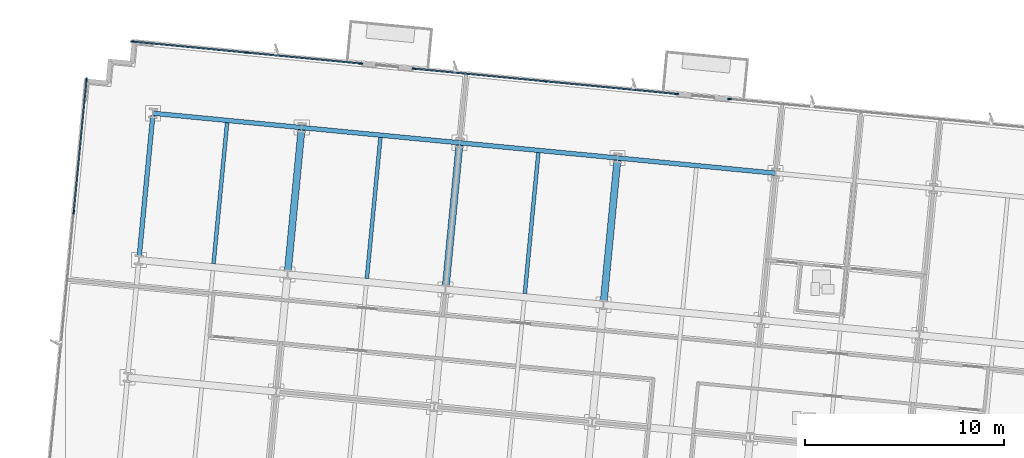
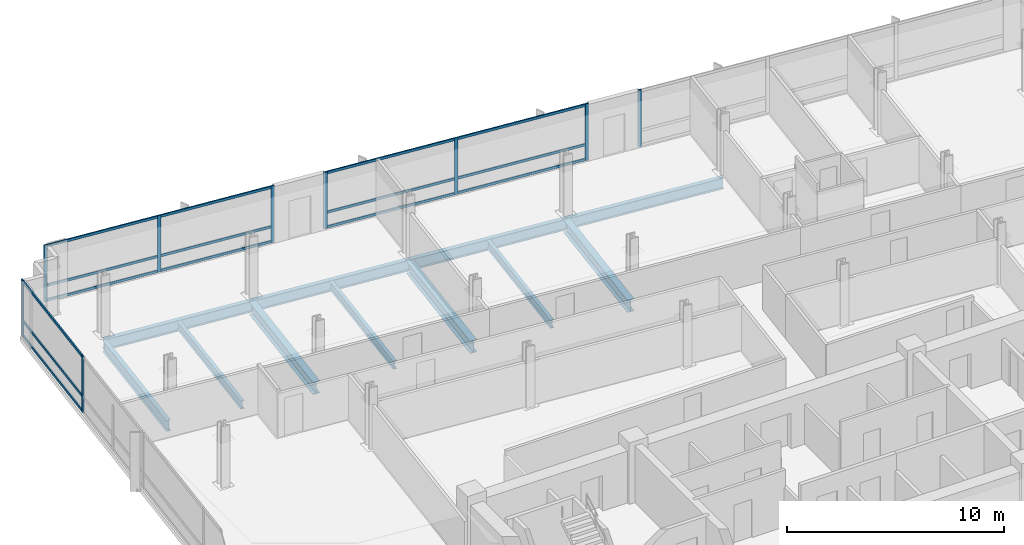
# One storey, part 7 of 16: 24 members, 11 beams, 4 elements without a shape of their own.
"""IFC4 building model written with IfcOpenShell, lengths in metres."""

import ifcopenshell
import ifcopenshell.guid

model = None  # the IFC model being written
_history = None  # IfcOwnerHistory: only IFC2X3 demands one
_inside = {}  # id of a spatial element -> (the spatial element, [elements in it])
_under = {}  # id of a project, library or spatial element -> (it, [spatial elements below it])
_declared = {}  # id of a project -> (the project, [libraries it declares])
_typed = {}  # id of a type object -> (the type object, [elements of that type])
_made_of = {}  # id of a material, layer set ... -> (it, [elements and type objects made of it])


def new_model(schema):
    """Start an empty IFC model of exactly this schema.

    Asked for "IFC4X3", IfcOpenShell would pick the latest addendum, in which some entities
    have other attributes; the version numbers below select the first issue.
    IFC2X3 requires an IfcOwnerHistory on every rooted entity: one is made here for all.
    """
    global model, _history
    if schema == "IFC4X3":
        model = ifcopenshell.file(schema_version=(4, 3, 0, 0))
    else:
        model = ifcopenshell.file(schema=schema)
    _inside.clear()
    _under.clear()
    _declared.clear()
    _typed.clear()
    _made_of.clear()
    _history = None
    if model.schema == "IFC2X3":
        org = make("IfcOrganization", Name="unknown")
        user = make(
            "IfcPersonAndOrganization",
            ThePerson=make("IfcPerson", FamilyName="unknown"),
            TheOrganization=org,
        )
        app = make(
            "IfcApplication",
            ApplicationDeveloper=org,
            Version="unknown",
            ApplicationFullName="unknown",
            ApplicationIdentifier="unknown",
        )
        _history = make(
            "IfcOwnerHistory",
            OwningUser=user,
            OwningApplication=app,
            ChangeAction="ADDED",
            CreationDate=0,
        )
    return model


def make(cls, **values):
    """One entity of the class cls with the attributes given. An attribute that is None is left unset."""
    return model.create_entity(
        cls, **{name: value for name, value in values.items() if value is not None}
    )


def rooted(cls, **values):
    """An entity with a GlobalId (a new one), such as an element, a storey or a relation."""
    return make(cls, GlobalId=ifcopenshell.guid.new(), OwnerHistory=_history, **values)


def si_unit(unit_type, name, prefix=None):
    """IfcSIUnit, for example si_unit("LENGTHUNIT", "METRE", prefix="MILLI")."""
    return make("IfcSIUnit", UnitType=unit_type, Prefix=prefix, Name=name)


def assignment(units):
    """IfcUnitAssignment: the units of a project."""
    return None if units is None else make("IfcUnitAssignment", Units=units)


def point(xyz):
    """IfcCartesianPoint."""
    return None if xyz is None else make("IfcCartesianPoint", Coordinates=xyz)


def direction(xyz):
    """IfcDirection."""
    return None if xyz is None else make("IfcDirection", DirectionRatios=xyz)


def frame(location, z_axis=None, x_axis=None):
    """IfcAxis2Placement3D, a coordinate frame: its origin and axes. An axis left out is left unset."""
    return make(
        "IfcAxis2Placement3D",
        Location=point(location),
        Axis=direction(z_axis),
        RefDirection=direction(x_axis),
    )


def frame_2d(location, x_axis=None):
    """IfcAxis2Placement2D, a coordinate frame in the plane: its origin and x axis."""
    return make(
        "IfcAxis2Placement2D", Location=point(location), RefDirection=direction(x_axis)
    )


def origin():
    """The frame at (0, 0, 0) with its axes left unset."""
    return frame((0.0, 0.0, 0.0))


def origin_2d():
    """The frame at (0, 0) in the plane with its x axis left unset."""
    return frame_2d((0.0, 0.0))


def place(relative_to, where):
    """IfcLocalPlacement: puts the frame where relative to a parent placement (None: the world)."""
    return make(
        "IfcLocalPlacement", PlacementRelTo=relative_to, RelativePlacement=where
    )


def context(
    kind, dimensions, precision=None, world=None, true_north=None, identifier=None
):
    """IfcGeometricRepresentationContext, for example the 3D "Model" context."""
    return make(
        "IfcGeometricRepresentationContext",
        ContextIdentifier=identifier,
        ContextType=kind,
        CoordinateSpaceDimension=dimensions,
        Precision=precision,
        WorldCoordinateSystem=world,
        TrueNorth=true_north,
    )


def subcontext(parent, identifier, kind, view, scale=None):
    """IfcGeometricRepresentationSubContext, for example "Body" below "Model"."""
    return make(
        "IfcGeometricRepresentationSubContext",
        ContextIdentifier=identifier,
        ContextType=kind,
        ParentContext=parent,
        TargetScale=scale,
        TargetView=view,
    )


def project(units=None, contexts=None):
    """IfcProject with its units and contexts."""
    return rooted(
        "IfcProject",
        Name="project",
        RepresentationContexts=contexts,
        UnitsInContext=assignment(units),
    )


def spatial(cls, under=None, at=None, **own):
    """A site, building, storey or space (cls), placed at a placement, below another one or the project."""
    s = rooted(cls, ObjectPlacement=at, **own)
    if under is not None:
        _under.setdefault(under.id(), (under, []))[1].append(s)
    return s


def profile(cls, at=None, kind="AREA", **sizes):
    """A parametric profile (cls). Its sizes go by their IFC names, for example OverallWidth=200.0."""
    return make(cls, ProfileType=kind, Position=at, **sizes)


def rectangle(**sizes):
    """IfcRectangleProfileDef."""
    return profile("IfcRectangleProfileDef", **sizes)


def i_section(**sizes):
    """IfcIShapeProfileDef."""
    return profile("IfcIShapeProfileDef", **sizes)


def extrude(swept, where, along, depth):
    """IfcExtrudedAreaSolid: the profile swept, set in the frame where, extruded along a direction by depth."""
    return make(
        "IfcExtrudedAreaSolid",
        SweptArea=swept,
        Position=where,
        ExtrudedDirection=direction(along),
        Depth=depth,
    )


def shape(context_of_items, identifier, shape_type, items):
    """IfcShapeRepresentation: the items that make up one representation, for example the "Body"."""
    return make(
        "IfcShapeRepresentation",
        ContextOfItems=context_of_items,
        RepresentationIdentifier=identifier,
        RepresentationType=shape_type,
        Items=items,
    )


def material(Name=None, Category=None):
    """IfcMaterial."""
    return make("IfcMaterial", Name=Name, Category=Category)


def material_profile(
    of_material, cross_section, Name=None, Category=None, Priority=None
):
    """IfcMaterialProfile: a cross section and its material."""
    return make(
        "IfcMaterialProfile",
        Name=Name,
        Material=of_material,
        Profile=cross_section,
        Priority=Priority,
        Category=Category,
    )


def profile_set(profiles, Name=None, composite=None):
    """IfcMaterialProfileSet."""
    return make(
        "IfcMaterialProfileSet",
        Name=Name,
        MaterialProfiles=profiles,
        CompositeProfile=composite,
    )


def made_of(thing, what):
    """Note that an element or type object is made of a material, layer set ...; save() writes the relation."""
    if what is not None:
        _made_of.setdefault(what.id(), (what, []))[1].append(thing)
    return thing


def type_object(cls, material=None, **own):
    """A type object (cls), such as IfcWallType, which elements share."""
    return made_of(rooted(cls, **own), material)


def element(
    cls,
    number,
    at=None,
    inside=None,
    cuts=None,
    type_object=None,
    material=None,
    context=None,
    identifier="Body",
    shape_type=None,
    held_by="IfcProductDefinitionShape",
    body=None,
    shapes=None,
    **own,
):
    """One element of the class cls, such as IfcWall. Its Tag is "e" and its number.

    at: its placement. inside: the storey or other place that contains it. cuts: it is an
    opening in that element (IfcRelVoidsElement). A single representation is given by context,
    identifier, shape_type and body (its items); several are given by shapes. held_by: the class
    of the entity that holds the representations. save() writes the other relations.
    """
    e = rooted(cls, Tag="e%d" % number, ObjectPlacement=at, **own)
    if body is not None:
        shapes = [shape(context, identifier, shape_type, body)]
    if shapes is not None:
        e.Representation = make(held_by, Representations=shapes)
    if inside is not None:
        _inside.setdefault(inside.id(), (inside, []))[1].append(e)
    if cuts is not None:
        rooted(
            "IfcRelVoidsElement", RelatingBuildingElement=cuts, RelatedOpeningElement=e
        )
    if type_object is not None:
        _typed.setdefault(type_object.id(), (type_object, []))[1].append(e)
    return made_of(e, material)


def aggregate(whole, parts):
    """IfcRelAggregates: a whole, such as a stair, and the parts it consists of."""
    return rooted("IfcRelAggregates", RelatingObject=whole, RelatedObjects=parts)


def save(model, path):
    """Write the relations noted so far, then the file.

    IfcRelAggregates (storeys below a building ...), IfcRelContainedInSpatialStructure (elements
    in a storey), IfcRelDefinesByType, IfcRelAssociatesMaterial and IfcRelDeclares: one each for
    every whole, place, type object, material and project.
    """
    for whole, parts in _under.values():
        aggregate(whole, parts)
    for where, things in _inside.values():
        rooted(
            "IfcRelContainedInSpatialStructure",
            RelatedElements=things,
            RelatingStructure=where,
        )
    for kind, things in _typed.values():
        rooted("IfcRelDefinesByType", RelatedObjects=things, RelatingType=kind)
    for what, things in _made_of.values():
        rooted("IfcRelAssociatesMaterial", RelatedObjects=things, RelatingMaterial=what)
    for by, libraries in _declared.values():
        rooted("IfcRelDeclares", RelatingContext=by, RelatedDefinitions=libraries)
    model.write(path)


model = new_model("IFC4")

# Units and contexts
model_context = context("Model", 3, precision=1e-05, world=origin(), true_north=direction((0.0, 1.0)))
body_context = subcontext(model_context, "Body", "Model", "MODEL_VIEW")
ifc_project = project(units=[si_unit("LENGTHUNIT", "METRE"), si_unit("AREAUNIT", "SQUARE_METRE"), si_unit("VOLUMEUNIT", "CUBIC_METRE"), si_unit("PLANEANGLEUNIT", "RADIAN"), si_unit("MASSUNIT", "GRAM", prefix="KILO")], contexts=[model_context])

# Site, building, storey
site_placement = place(None, origin())
site = spatial("IfcSite", under=ifc_project, at=site_placement, CompositionType="ELEMENT")
building_placement = place(site_placement, origin())
building = spatial("IfcBuilding", under=site, at=building_placement, Name="Solmavex Isthmus Hotel", CompositionType="ELEMENT")
storey_placement = place(building_placement, frame((0.0, 0.0, 166.949951171875)))
storey = spatial("IfcBuildingStorey", under=building, at=storey_placement, Name="L45", CompositionType="ELEMENT", Elevation=166.949951171875)

# Beams
ifc_material_1 = material(Name="Steel ASTM A992 Grade 50", Category="steel")
ifc_material_profile_1 = material_profile(ifc_material_1, i_section(OverallWidth=0.354736328125, OverallDepth=0.695556640625, WebThickness=0.015380859375, FlangeThickness=0.02490234375, FilletRadius=0.017822265625, at=origin_2d()), Name="W27X146")
ifc_profile_set_1 = profile_set([ifc_material_profile_1], Name="Steel ASTM A992 Grade 50")
beam_type_1 = type_object("IfcBeamType", Name="BM-BG-W27X146", PredefinedType="BEAM", material=ifc_profile_set_1)
beam_1_placement = place(storey_placement, frame((-15.254150390625, 13.07275390625, -0.607666015625), z_axis=(0.095839524498, 0.995396798038, 0.0), x_axis=(-0.995396798038, 0.095839524498, 0.0)))
element("IfcBeam", 1, at=beam_1_placement, inside=storey, type_object=beam_type_1, Name="Floor Beam L45-VG26", PredefinedType="BEAM", context=body_context, shape_type="SweptSolid", body=[
    extrude(i_section(OverallWidth=0.354736328125, OverallDepth=0.695556640625, WebThickness=0.015380859375, FlangeThickness=0.02490234375, FilletRadius=0.017822265625, at=origin_2d()), origin(), (0.0, 0.0, 1.0), 7.099609375),
])
beam_2_placement = place(storey_placement, frame((-7.3349609375, 12.310302734375, -0.607666015625), z_axis=(0.09587687835, 0.9953932008, 0.0), x_axis=(-0.9953932008, 0.09587687835, 0.0)))
element("IfcBeam", 2, at=beam_2_placement, inside=storey, type_object=beam_type_1, Name="Floor Beam L45-VG29", PredefinedType="BEAM", context=body_context, shape_type="SweptSolid", body=[
    extrude(i_section(OverallWidth=0.354736328125, OverallDepth=0.695556640625, WebThickness=0.015380859375, FlangeThickness=0.02490234375, FilletRadius=0.017822265625, at=origin_2d()), origin(), (0.0, 0.0, 1.0), 7.099365234375),
])
beam_3_placement = place(storey_placement, frame((0.58447265625, 11.547607421875, -0.607666015625), z_axis=(0.095839524498, 0.995396798038, 0.0), x_axis=(-0.995396798038, 0.095839524498, 0.0)))
element("IfcBeam", 3, at=beam_3_placement, inside=storey, type_object=beam_type_1, Name="Floor Beam L45-VG32", PredefinedType="BEAM", context=body_context, shape_type="SweptSolid", body=[
    extrude(i_section(OverallWidth=0.354736328125, OverallDepth=0.695556640625, WebThickness=0.015380859375, FlangeThickness=0.02490234375, FilletRadius=0.017822265625, at=origin_2d()), origin(), (0.0, 0.0, 1.0), 7.099609375),
])
ifc_material_profile_2 = material_profile(ifc_material_1, i_section(OverallWidth=0.1904296875, OverallDepth=0.456787109375, WebThickness=0.009033203125, FlangeThickness=0.014404296875, FilletRadius=0.0126953125, at=origin_2d()), Name="W18X50")
ifc_profile_set_2 = profile_set([ifc_material_profile_2], Name="Steel ASTM A992 Grade 50")
beam_type_2 = type_object("IfcBeamType", Name="BM-BJ-W18X50", PredefinedType="JOIST", material=ifc_profile_set_2)
for number, where, z_axis, x_axis, name in (
    (4, (-18.98095703125, 13.431640625, -0.48828125), (0.095842805175, 0.99539648216, 0.0), (-0.99539648216, 0.095842805175, 0.0), "Secondary Floor Joist L45-J03"),
    (5, (-11.29443359375, 12.691650390625, -0.48828125), (0.095842805175, 0.99539648216, 0.0), (-0.99539648216, 0.095842805175, 0.0), "Secondary Floor Joist L45-J06"),
    (6, (-3.375244140625, 11.928955078125, -0.48828125), (0.09587687835, 0.9953932008, 0.0), (-0.9953932008, 0.09587687835, 0.0), "Secondary Floor Joist L45-J09"),
):
    element("IfcBeam", number, at=place(storey_placement, frame(where, z_axis=z_axis, x_axis=x_axis)), inside=storey, type_object=beam_type_2, Name=name, PredefinedType="JOIST", context=body_context, shape_type="SweptSolid", body=[
        extrude(i_section(OverallWidth=0.1904296875, OverallDepth=0.456787109375, WebThickness=0.009033203125, FlangeThickness=0.014404296875, FilletRadius=0.0126953125, at=origin_2d()), origin(), (0.0, 0.0, 1.0), 7.099365234375),
    ])
ifc_material_profile_3 = material_profile(ifc_material_1, i_section(OverallWidth=0.230224609375, OverallDepth=0.617431640625, WebThickness=0.01318359375, FlangeThickness=0.022216796875, FilletRadius=0.01513671875, at=origin_2d()), Name="W24X94")
ifc_profile_set_3 = profile_set([ifc_material_profile_3], Name="Steel ASTM A992 Grade 50")
beam_type_3 = type_object("IfcBeamType", Name="BM-SP-W24X94", PredefinedType="SPANDREL", material=ifc_profile_set_3)
beam_4_placement = place(storey_placement, frame((-22.016357421875, 20.971923828125, -0.568603515625), z_axis=(0.995395279593, -0.095855293875, 0.0), x_axis=(0.095855293875, 0.995395279593, 0.0)))
element("IfcBeam", 7, at=beam_4_placement, inside=storey, type_object=beam_type_3, Name="Floor Girder L45-UG15", PredefinedType="SPANDREL", context=body_context, shape_type="SweptSolid", body=[
    extrude(i_section(OverallWidth=0.230224609375, OverallDepth=0.617431640625, WebThickness=0.01318359375, FlangeThickness=0.022216796875, FilletRadius=0.01513671875, at=origin_2d()), origin(), (0.0, 0.0, 1.0), 7.488037109375),
])
for number, where, z_axis, x_axis, name in (
    (8, (-14.562744140625, 20.254150390625, -0.568603515625), (0.995397440011, -0.095832856685, 0.0), (0.095832856685, 0.995397440011, 0.0), "Floor Girder L45-UG16"),
    (9, (-6.643310546875, 19.49169921875, -0.568603515625), (0.995394512348, -0.095863260885, 0.0), (0.095863260885, 0.995394512348, 0.0), "Floor Girder L45-UG17"),
):
    element("IfcBeam", number, at=place(storey_placement, frame(where, z_axis=z_axis, x_axis=x_axis)), inside=storey, type_object=beam_type_3, Name=name, PredefinedType="SPANDREL", context=body_context, shape_type="SweptSolid", body=[
        extrude(i_section(OverallWidth=0.230224609375, OverallDepth=0.617431640625, WebThickness=0.01318359375, FlangeThickness=0.022216796875, FilletRadius=0.01513671875, at=origin_2d()), origin(), (0.0, 0.0, 1.0), 7.9560546875),
    ])
beam_5_placement = place(storey_placement, frame((1.276123046875, 18.72900390625, -0.568603515625), z_axis=(0.995397158178, -0.095835783981, 0.0), x_axis=(0.095835783981, 0.995397158178, 0.0)))
element("IfcBeam", 10, at=beam_5_placement, inside=storey, type_object=beam_type_3, Name="Floor Girder L45-UG18", PredefinedType="SPANDREL", context=body_context, shape_type="SweptSolid", body=[
    extrude(i_section(OverallWidth=0.230224609375, OverallDepth=0.617431640625, WebThickness=0.01318359375, FlangeThickness=0.022216796875, FilletRadius=0.01513671875, at=origin_2d()), origin(), (0.0, 0.0, 1.0), 7.955810546875),
])
beam_6_placement = place(storey_placement, frame((-22.707763671875, 13.79052734375, -0.568603515625), z_axis=(0.095842805175, 0.99539648216, 0.0), x_axis=(-0.99539648216, 0.095842805175, 0.0)))
element("IfcBeam", 11, at=beam_6_placement, inside=storey, type_object=beam_type_3, Name="Floor Beam L45-VG23", PredefinedType="SPANDREL", context=body_context, shape_type="SweptSolid", body=[
    extrude(i_section(OverallWidth=0.230224609375, OverallDepth=0.617431640625, WebThickness=0.01318359375, FlangeThickness=0.022216796875, FilletRadius=0.01513671875, at=origin_2d()), origin(), (0.0, 0.0, 1.0), 7.099365234375),
])

# Curtain wall, members
ifc_material_2 = material(Name="Aluminium alloy 6063-T6", Category="aluminium")
curtain_wall_type = type_object("IfcCurtainWallType", Name="CW-SYS-03", PredefinedType="NOTDEFINED", material=ifc_material_2)
curtain_wall_1_placement = place(storey_placement, origin())
curtain_wall_1 = element("IfcCurtainWall", 12, at=curtain_wall_1_placement, inside=storey, type_object=curtain_wall_type, Name="Stick Curtain Wall CWL-L45-N1", PredefinedType="NOTDEFINED")
ifc_material_profile_4 = material_profile(ifc_material_2, rectangle(XDim=0.070068359375, YDim=0.179931640625, at=origin_2d()), Name="CWM-70X180")
ifc_profile_set_4 = profile_set([ifc_material_profile_4], Name="Aluminium alloy 6063-T6")
member_type_1 = type_object("IfcMemberType", Name="CW-SYS-03-MUL", PredefinedType="MULLION", material=ifc_profile_set_4)
member_1_placement = place(storey_placement, frame((-23.04150390625, 24.566650390625, 0.0), z_axis=(0.0, 0.0, 1.0), x_axis=(0.095845521008, 0.995396220659, 0.0)))
member_1 = element("IfcMember", 13, at=member_1_placement, type_object=member_type_1, Name="CW-03 mullion 1", PredefinedType="MULLION", context=body_context, shape_type="SweptSolid", body=[
    extrude(rectangle(XDim=0.070068359375, YDim=0.179931640625, at=origin_2d()), origin(), (0.0, 0.0, 1.0), 3.18994140625),
])
member_2_placement = place(storey_placement, frame((-17.31982421875, 24.015869140625, 0.0), z_axis=(0.0, 0.0, 1.0), x_axis=(0.095845521008, 0.995396220659, 0.0)))
member_2 = element("IfcMember", 14, at=member_2_placement, type_object=member_type_1, Name="CW-03 mullion 2", PredefinedType="MULLION", context=body_context, shape_type="SweptSolid", body=[
    extrude(rectangle(XDim=0.070068359375, YDim=0.179931640625, at=origin_2d()), origin(), (0.0, 0.0, 1.0), 3.18994140625),
])
member_3_placement = place(storey_placement, frame((-11.598388671875, 23.46484375, 0.0), z_axis=(0.0, 0.0, 1.0), x_axis=(0.095845521008, 0.995396220659, 0.0)))
member_3 = element("IfcMember", 15, at=member_3_placement, type_object=member_type_1, Name="CW-03 mullion 3", PredefinedType="MULLION", context=body_context, shape_type="SweptSolid", body=[
    extrude(rectangle(XDim=0.070068359375, YDim=0.179931640625, at=origin_2d()), origin(), (0.0, 0.0, 1.0), 3.18994140625),
])

curtain_wall_2_placement = place(storey_placement, origin())
curtain_wall_2 = element("IfcCurtainWall", 16, at=curtain_wall_2_placement, inside=storey, type_object=curtain_wall_type, Name="Stick Curtain Wall CWL-L45-N2", PredefinedType="NOTDEFINED")
member_4_placement = place(storey_placement, frame((-8.940673828125, 23.208984375, 0.0), z_axis=(0.0, 0.0, 1.0), x_axis=(0.095845138178, 0.995396257521, 0.0)))
member_4 = element("IfcMember", 17, at=member_4_placement, type_object=member_type_1, Name="CW-03 mullion 1", PredefinedType="MULLION", context=body_context, shape_type="SweptSolid", body=[
    extrude(rectangle(XDim=0.070068359375, YDim=0.179931640625, at=origin_2d()), origin(), (0.0, 0.0, 1.0), 3.18994140625),
])
member_5_placement = place(storey_placement, frame((-2.35009765625, 22.574462890625, 0.0), z_axis=(0.0, 0.0, 1.0), x_axis=(0.095845138178, 0.995396257521, 0.0)))
member_5 = element("IfcMember", 18, at=member_5_placement, type_object=member_type_1, Name="CW-03 mullion 2", PredefinedType="MULLION", context=body_context, shape_type="SweptSolid", body=[
    extrude(rectangle(XDim=0.070068359375, YDim=0.179931640625, at=origin_2d()), origin(), (0.0, 0.0, 1.0), 3.18994140625),
])
member_6_placement = place(storey_placement, frame((4.240478515625, 21.939697265625, 0.0), z_axis=(0.0, 0.0, 1.0), x_axis=(0.095845138178, 0.995396257521, 0.0)))
member_6 = element("IfcMember", 19, at=member_6_placement, type_object=member_type_1, Name="CW-03 mullion 3", PredefinedType="MULLION", context=body_context, shape_type="SweptSolid", body=[
    extrude(rectangle(XDim=0.070068359375, YDim=0.179931640625, at=origin_2d()), origin(), (0.0, 0.0, 1.0), 3.18994140625),
])

# Curtain wall, member
curtain_wall_3_placement = place(storey_placement, origin())
curtain_wall_3 = element("IfcCurtainWall", 20, at=curtain_wall_3_placement, inside=storey, type_object=curtain_wall_type, Name="Stick Curtain Wall CWL-L45-N3", PredefinedType="NOTDEFINED")
member_7_placement = place(storey_placement, frame((6.898193359375, 21.683837890625, 0.0), z_axis=(0.0, 0.0, 1.0), x_axis=(0.095845735304, 0.995396200025, 0.0)))
member_7 = element("IfcMember", 21, at=member_7_placement, type_object=member_type_1, Name="CW-03 mullion 1", PredefinedType="MULLION", context=body_context, shape_type="SweptSolid", body=[
    extrude(rectangle(XDim=0.070068359375, YDim=0.179931640625, at=origin_2d()), origin(), (0.0, 0.0, 1.0), 3.18994140625),
])
aggregate(curtain_wall_3, [member_7])

# Curtain wall, members
curtain_wall_4_placement = place(storey_placement, origin())
curtain_wall_4 = element("IfcCurtainWall", 22, at=curtain_wall_4_placement, inside=storey, type_object=curtain_wall_type, Name="Stick Curtain Wall CWL-L45-W1", PredefinedType="NOTDEFINED")
member_8_placement = place(storey_placement, frame((-25.990234375, 16.010009765625, 0.0), z_axis=(0.0, 0.0, 1.0), x_axis=(-0.995396190038, 0.09584583902, 0.0)))
member_8 = element("IfcMember", 23, at=member_8_placement, type_object=member_type_1, Name="CW-03 mullion 5", PredefinedType="MULLION", context=body_context, shape_type="SweptSolid", body=[
    extrude(rectangle(XDim=0.070068359375, YDim=0.179931640625, at=origin_2d()), origin(), (0.0, 0.0, 1.0), 3.18994140625),
])
member_9_placement = place(storey_placement, frame((-25.349365234375, 22.6640625, 0.0), z_axis=(0.0, 0.0, 1.0), x_axis=(-0.995396190038, 0.09584583902, 0.0)))
member_9 = element("IfcMember", 24, at=member_9_placement, type_object=member_type_1, Name="CW-03 mullion 6", PredefinedType="MULLION", context=body_context, shape_type="SweptSolid", body=[
    extrude(rectangle(XDim=0.070068359375, YDim=0.179931640625, at=origin_2d()), origin(), (0.0, 0.0, 1.0), 3.18994140625),
])

# Member
ifc_material_profile_5 = material_profile(ifc_material_2, rectangle(XDim=0.070068359375, YDim=0.139892578125, at=origin_2d()), Name="CWT-70X140")
ifc_profile_set_5 = profile_set([ifc_material_profile_5], Name="Aluminium alloy 6063-T6")
member_type_2 = type_object("IfcMemberType", Name="CW-SYS-03-TRN", PredefinedType="USERDEFINED", material=ifc_profile_set_5)
member_10_placement = place(storey_placement, frame((-23.006591796875, 24.563232421875, 0.070068359375), z_axis=(0.995396573568, -0.095841855831, 0.0), x_axis=(0.095841855831, 0.995396573568, 0.0)))
member_10 = element("IfcMember", 25, at=member_10_placement, type_object=member_type_2, Name="CW-03 transom 1.1", ObjectType="TRANSOM", PredefinedType="USERDEFINED", context=body_context, shape_type="SweptSolid", body=[
    extrude(rectangle(XDim=0.070068359375, YDim=0.139892578125, at=origin_2d()), origin(), (0.0, 0.0, 1.0), 5.677978515625),
])

member_11_placement = place(storey_placement, frame((-23.006591796875, 24.563232421875, 0.900146484375), z_axis=(0.995396573568, -0.095841855831, 0.0), x_axis=(0.095841855831, 0.995396573568, 0.0)))
member_11 = element("IfcMember", 26, at=member_11_placement, type_object=member_type_2, Name="CW-03 transom 1.2", ObjectType="TRANSOM", PredefinedType="USERDEFINED", context=body_context, shape_type="SweptSolid", body=[
    extrude(rectangle(XDim=0.070068359375, YDim=0.139892578125, at=origin_2d()), origin(), (0.0, 0.0, 1.0), 5.677978515625),
])

member_12_placement = place(storey_placement, frame((-23.006591796875, 24.563232421875, 3.1201171875), z_axis=(0.995396573568, -0.095841855831, 0.0), x_axis=(0.095841855831, 0.995396573568, 0.0)))
member_12 = element("IfcMember", 27, at=member_12_placement, type_object=member_type_2, Name="CW-03 transom 1.3", ObjectType="TRANSOM", PredefinedType="USERDEFINED", context=body_context, shape_type="SweptSolid", body=[
    extrude(rectangle(XDim=0.070068359375, YDim=0.139892578125, at=origin_2d()), origin(), (0.0, 0.0, 1.0), 5.677978515625),
])

member_13_placement = place(storey_placement, frame((-17.28515625, 24.012451171875, 0.070068359375), z_axis=(0.995396968505, -0.095837753998, 0.0), x_axis=(0.095837753998, 0.995396968505, 0.0)))
member_13 = element("IfcMember", 28, at=member_13_placement, type_object=member_type_2, Name="CW-03 transom 2.1", ObjectType="TRANSOM", PredefinedType="USERDEFINED", context=body_context, shape_type="SweptSolid", body=[
    extrude(rectangle(XDim=0.070068359375, YDim=0.139892578125, at=origin_2d()), origin(), (0.0, 0.0, 1.0), 5.67822265625),
])

member_14_placement = place(storey_placement, frame((-17.28515625, 24.012451171875, 0.900146484375), z_axis=(0.995396968505, -0.095837753998, 0.0), x_axis=(0.095837753998, 0.995396968505, 0.0)))
member_14 = element("IfcMember", 29, at=member_14_placement, type_object=member_type_2, Name="CW-03 transom 2.2", ObjectType="TRANSOM", PredefinedType="USERDEFINED", context=body_context, shape_type="SweptSolid", body=[
    extrude(rectangle(XDim=0.070068359375, YDim=0.139892578125, at=origin_2d()), origin(), (0.0, 0.0, 1.0), 5.67822265625),
])

member_15_placement = place(storey_placement, frame((-17.28515625, 24.012451171875, 3.1201171875), z_axis=(0.995396968505, -0.095837753998, 0.0), x_axis=(0.095837753998, 0.995396968505, 0.0)))
member_15 = element("IfcMember", 30, at=member_15_placement, type_object=member_type_2, Name="CW-03 transom 2.3", ObjectType="TRANSOM", PredefinedType="USERDEFINED", context=body_context, shape_type="SweptSolid", body=[
    extrude(rectangle(XDim=0.070068359375, YDim=0.139892578125, at=origin_2d()), origin(), (0.0, 0.0, 1.0), 5.67822265625),
])

aggregate(curtain_wall_1, [member_1, member_2, member_3, member_10, member_11, member_12, member_13, member_14, member_15])

member_16_placement = place(storey_placement, frame((-8.90576171875, 23.20556640625, 0.070068359375), z_axis=(0.995395431006, -0.095853721538, 0.0), x_axis=(0.095853721538, 0.995395431006, 0.0)))
member_16 = element("IfcMember", 31, at=member_16_placement, type_object=member_type_2, Name="CW-03 transom 1.1", ObjectType="TRANSOM", PredefinedType="USERDEFINED", context=body_context, shape_type="SweptSolid", body=[
    extrude(rectangle(XDim=0.070068359375, YDim=0.139892578125, at=origin_2d()), origin(), (0.0, 0.0, 1.0), 6.551025390625),
])

member_17_placement = place(storey_placement, frame((-8.90576171875, 23.20556640625, 0.900146484375), z_axis=(0.995395431006, -0.095853721538, 0.0), x_axis=(0.095853721538, 0.995395431006, 0.0)))
member_17 = element("IfcMember", 32, at=member_17_placement, type_object=member_type_2, Name="CW-03 transom 1.2", ObjectType="TRANSOM", PredefinedType="USERDEFINED", context=body_context, shape_type="SweptSolid", body=[
    extrude(rectangle(XDim=0.070068359375, YDim=0.139892578125, at=origin_2d()), origin(), (0.0, 0.0, 1.0), 6.551025390625),
])

member_18_placement = place(storey_placement, frame((-8.90576171875, 23.20556640625, 3.1201171875), z_axis=(0.995395431006, -0.095853721538, 0.0), x_axis=(0.095853721538, 0.995395431006, 0.0)))
member_18 = element("IfcMember", 33, at=member_18_placement, type_object=member_type_2, Name="CW-03 transom 1.3", ObjectType="TRANSOM", PredefinedType="USERDEFINED", context=body_context, shape_type="SweptSolid", body=[
    extrude(rectangle(XDim=0.070068359375, YDim=0.139892578125, at=origin_2d()), origin(), (0.0, 0.0, 1.0), 6.551025390625),
])

member_19_placement = place(storey_placement, frame((-2.315185546875, 22.571044921875, 0.070068359375), z_axis=(0.995395431006, -0.095853721538, 0.0), x_axis=(0.095853721538, 0.995395431006, 0.0)))
member_19 = element("IfcMember", 34, at=member_19_placement, type_object=member_type_2, Name="CW-03 transom 2.1", ObjectType="TRANSOM", PredefinedType="USERDEFINED", context=body_context, shape_type="SweptSolid", body=[
    extrude(rectangle(XDim=0.070068359375, YDim=0.139892578125, at=origin_2d()), origin(), (0.0, 0.0, 1.0), 6.551025390625),
])

member_20_placement = place(storey_placement, frame((-2.315185546875, 22.571044921875, 0.900146484375), z_axis=(0.995395431006, -0.095853721538, 0.0), x_axis=(0.095853721538, 0.995395431006, 0.0)))
member_20 = element("IfcMember", 35, at=member_20_placement, type_object=member_type_2, Name="CW-03 transom 2.2", ObjectType="TRANSOM", PredefinedType="USERDEFINED", context=body_context, shape_type="SweptSolid", body=[
    extrude(rectangle(XDim=0.070068359375, YDim=0.139892578125, at=origin_2d()), origin(), (0.0, 0.0, 1.0), 6.551025390625),
])

member_21_placement = place(storey_placement, frame((-2.315185546875, 22.571044921875, 3.1201171875), z_axis=(0.995395431006, -0.095853721538, 0.0), x_axis=(0.095853721538, 0.995395431006, 0.0)))
member_21 = element("IfcMember", 36, at=member_21_placement, type_object=member_type_2, Name="CW-03 transom 2.3", ObjectType="TRANSOM", PredefinedType="USERDEFINED", context=body_context, shape_type="SweptSolid", body=[
    extrude(rectangle(XDim=0.070068359375, YDim=0.139892578125, at=origin_2d()), origin(), (0.0, 0.0, 1.0), 6.551025390625),
])

aggregate(curtain_wall_2, [member_4, member_5, member_6, member_16, member_17, member_18, member_19, member_20, member_21])

member_22_placement = place(storey_placement, frame((-25.98681640625, 16.044677734375, 0.070068359375), z_axis=(0.095845316679, 0.995396240334, 0.0), x_axis=(-0.995396240334, 0.095845316679, 0.0)))
member_22 = element("IfcMember", 37, at=member_22_placement, type_object=member_type_2, Name="CW-03 transom 5.1", ObjectType="TRANSOM", PredefinedType="USERDEFINED", context=body_context, shape_type="SweptSolid", body=[
    extrude(rectangle(XDim=0.070068359375, YDim=0.139892578125, at=origin_2d()), origin(), (0.0, 0.0, 1.0), 6.615234375),
])

member_23_placement = place(storey_placement, frame((-25.98681640625, 16.044677734375, 0.900146484375), z_axis=(0.095845316679, 0.995396240334, 0.0), x_axis=(-0.995396240334, 0.095845316679, 0.0)))
member_23 = element("IfcMember", 38, at=member_23_placement, type_object=member_type_2, Name="CW-03 transom 5.2", ObjectType="TRANSOM", PredefinedType="USERDEFINED", context=body_context, shape_type="SweptSolid", body=[
    extrude(rectangle(XDim=0.070068359375, YDim=0.139892578125, at=origin_2d()), origin(), (0.0, 0.0, 1.0), 6.615234375),
])

member_24_placement = place(storey_placement, frame((-25.98681640625, 16.044677734375, 3.1201171875), z_axis=(0.095845316679, 0.995396240334, 0.0), x_axis=(-0.995396240334, 0.095845316679, 0.0)))
member_24 = element("IfcMember", 39, at=member_24_placement, type_object=member_type_2, Name="CW-03 transom 5.3", ObjectType="TRANSOM", PredefinedType="USERDEFINED", context=body_context, shape_type="SweptSolid", body=[
    extrude(rectangle(XDim=0.070068359375, YDim=0.139892578125, at=origin_2d()), origin(), (0.0, 0.0, 1.0), 6.615234375),
])

aggregate(curtain_wall_4, [member_8, member_9, member_22, member_23, member_24])

save(model, "model.ifc")
